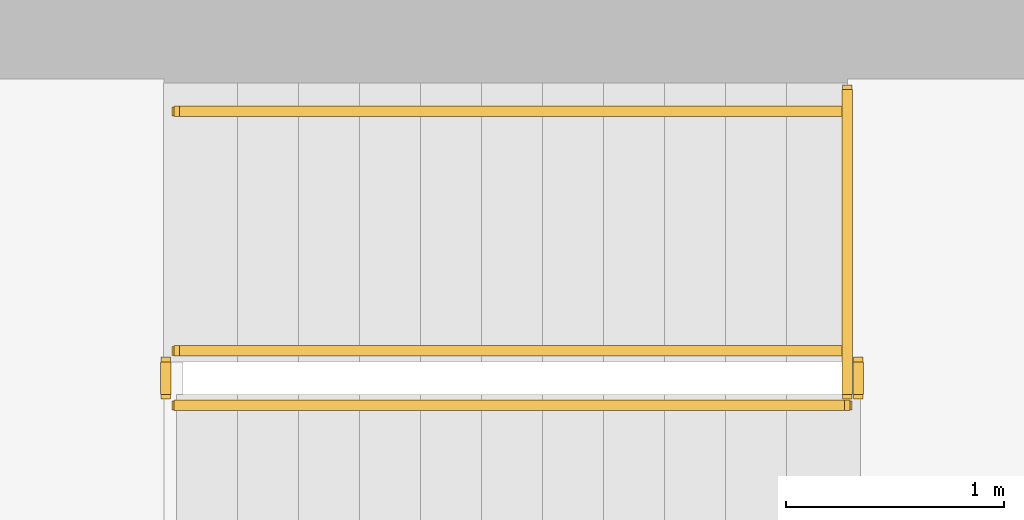
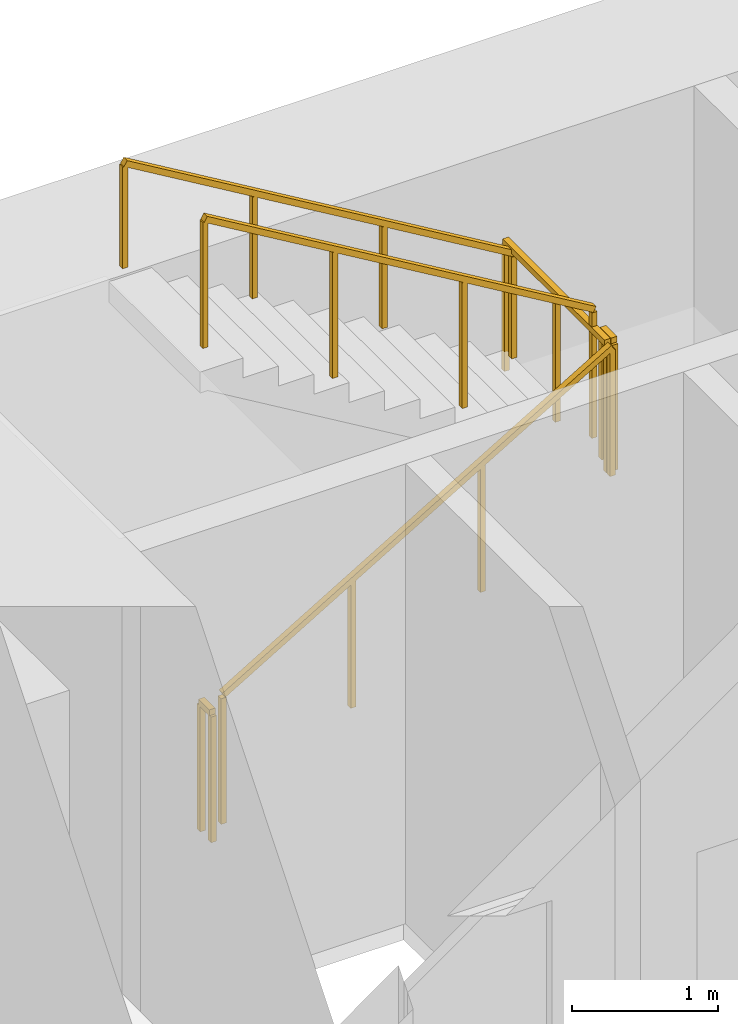
# One storey, part 15 of 16: 6 railings.
"""IFC4 building model written with IfcOpenShell, lengths in metres."""

from ifc_helpers import new_model, si_unit, direction, frame, origin, origin_2d, place, context, subcontext, project, spatial, rectangle, extrude, material, type_object, element, save


model = new_model("IFC4")

# Units and contexts
model_context = context("Model", 3, precision=1e-05, world=origin(), true_north=direction((0.0, 1.0)))
body_context = subcontext(model_context, "Body", "Model", "MODEL_VIEW")
ifc_project = project(units=[si_unit("LENGTHUNIT", "METRE"), si_unit("AREAUNIT", "SQUARE_METRE"), si_unit("VOLUMEUNIT", "CUBIC_METRE"), si_unit("PLANEANGLEUNIT", "RADIAN"), si_unit("MASSUNIT", "GRAM", prefix="KILO")], contexts=[model_context])

# Site, building, storey
site_placement = place(None, origin())
site = spatial("IfcSite", under=ifc_project, at=site_placement, CompositionType="ELEMENT")
building_placement = place(site_placement, origin())
building = spatial("IfcBuilding", under=site, at=building_placement, Name="Sennacour Bend Tower", CompositionType="ELEMENT")
storey_placement = place(building_placement, frame((0.0, 0.0, 107.0)))
storey = spatial("IfcBuildingStorey", under=building, at=storey_placement, Name="L24", CompositionType="ELEMENT", Elevation=107.0)

# Railings
ifc_material = material(Name="Stainless steel", Category="steel")
railing_type_1 = type_object("IfcRailingType", Name="RL-GUARD-1100", PredefinedType="GUARDRAIL", material=ifc_material)
railing_1_placement = place(storey_placement, frame((56.699951171875, 19.85009765625, 0.166748046875)))
element("IfcRailing", 1, at=railing_1_placement, inside=storey, type_object=railing_type_1, Name="L24 SA2 stair guard 1", PredefinedType="GUARDRAIL", context=body_context, shape_type="SweptSolid", body=[
    extrude(rectangle(XDim=0.048095703125, YDim=0.048095703125, at=origin_2d()), frame((0.0, 0.0, 1.076171875), z_axis=(0.859308565015, 0.0, 0.511457515432), x_axis=(0.0, 1.0, 0.0)), (0.0, 0.0, 1.0), 3.58447265625),
    extrude(rectangle(XDim=0.0419921875, YDim=0.0419921875, at=origin_2d()), origin(), (0.0, 0.0, 1.0), 1.052001953125),
    extrude(rectangle(XDim=0.0419921875, YDim=0.0419921875, at=origin_2d()), frame((1.026611328125, 0.0, 0.611083984375)), (0.0, 0.0, 1.0), 1.052001953125),
    extrude(rectangle(XDim=0.0419921875, YDim=0.0419921875, at=origin_2d()), frame((2.053466796875, 0.0, 1.22216796875)), (0.0, 0.0, 1.0), 1.052001953125),
    extrude(rectangle(XDim=0.0419921875, YDim=0.0419921875, at=origin_2d()), frame((3.080078125, 0.0, 1.833251953125)), (0.0, 0.0, 1.0), 1.052001953125),
])
railing_2_placement = place(storey_placement, frame((59.830078125, 19.89990234375, 2.0)))
element("IfcRailing", 2, at=railing_2_placement, inside=storey, type_object=railing_type_1, Name="L24 SA2 stair guard 2", PredefinedType="GUARDRAIL", context=body_context, shape_type="SweptSolid", body=[
    extrude(rectangle(XDim=0.048095703125, YDim=0.048095703125, at=origin_2d()), frame((0.0, 0.0, 1.076171875), z_axis=(0.0, 1.0, 0.0), x_axis=(-1.0, 0.0, 0.0)), (0.0, 0.0, 1.0), 0.150146484375),
    extrude(rectangle(XDim=0.0419921875, YDim=0.0419921875, at=origin_2d()), origin(), (0.0, 0.0, 1.0), 1.052001953125),
    extrude(rectangle(XDim=0.0419921875, YDim=0.0419921875, at=origin_2d()), frame((0.0, 0.150146484375, 0.0)), (0.0, 0.0, 1.0), 1.052001953125),
])
railing_3_placement = place(storey_placement, frame((59.780029296875, 20.10009765625, 2.166748046875)))
element("IfcRailing", 3, at=railing_3_placement, inside=storey, type_object=railing_type_1, Name="L24 SA2 stair guard 4", PredefinedType="GUARDRAIL", context=body_context, shape_type="SweptSolid", body=[
    extrude(rectangle(XDim=0.048095703125, YDim=0.048095703125, at=origin_2d()), frame((0.0, 0.0, 1.076171875), z_axis=(-0.859308565015, 0.0, 0.511457515432), x_axis=(0.0, -1.0, 0.0)), (0.0, 0.0, 1.0), 3.58447265625),
    extrude(rectangle(XDim=0.0419921875, YDim=0.0419921875, at=origin_2d()), origin(), (0.0, 0.0, 1.0), 1.052001953125),
    extrude(rectangle(XDim=0.0419921875, YDim=0.0419921875, at=origin_2d()), frame((-1.026611328125, 0.0, 0.611083984375)), (0.0, 0.0, 1.0), 1.052001953125),
    extrude(rectangle(XDim=0.0419921875, YDim=0.0419921875, at=origin_2d()), frame((-2.053466796875, 0.0, 1.22216796875)), (0.0, 0.0, 1.0), 1.052001953125),
    extrude(rectangle(XDim=0.0419921875, YDim=0.0419921875, at=origin_2d()), frame((-3.080078125, 0.0, 1.833251953125)), (0.0, 0.0, 1.0), 1.052001953125),
])
railing_4_placement = place(storey_placement, frame((56.64990234375, 19.89990234375, 0.0)))
element("IfcRailing", 4, at=railing_4_placement, inside=storey, type_object=railing_type_1, Name="L24 SA2 stair guard 5", PredefinedType="GUARDRAIL", context=body_context, shape_type="SweptSolid", body=[
    extrude(rectangle(XDim=0.048095703125, YDim=0.048095703125, at=origin_2d()), frame((0.0, 0.0, 1.076171875), z_axis=(0.0, 1.0, 0.0), x_axis=(-1.0, 0.0, 0.0)), (0.0, 0.0, 1.0), 0.150146484375),
    extrude(rectangle(XDim=0.0419921875, YDim=0.0419921875, at=origin_2d()), origin(), (0.0, 0.0, 1.0), 1.052001953125),
    extrude(rectangle(XDim=0.0419921875, YDim=0.0419921875, at=origin_2d()), frame((0.0, 0.150146484375, 0.0)), (0.0, 0.0, 1.0), 1.052001953125),
])
railing_5_placement = place(storey_placement, frame((59.780029296875, 19.89990234375, 2.0)))
element("IfcRailing", 5, at=railing_5_placement, inside=storey, type_object=railing_type_1, Name="L24 SA2 landing edge guard 37", PredefinedType="GUARDRAIL", context=body_context, shape_type="SweptSolid", body=[
    extrude(rectangle(XDim=0.048095703125, YDim=0.048095703125, at=origin_2d()), frame((0.0, 0.0, 1.076171875), z_axis=(0.0, 1.0, 0.0), x_axis=(-1.0, 0.0, 0.0)), (0.0, 0.0, 1.0), 1.400146484375),
    extrude(rectangle(XDim=0.0419921875, YDim=0.0419921875, at=origin_2d()), origin(), (0.0, 0.0, 1.0), 1.052001953125),
    extrude(rectangle(XDim=0.0419921875, YDim=0.0419921875, at=origin_2d()), frame((0.0, 0.7001953125, 0.0)), (0.0, 0.0, 1.0), 1.052001953125),
    extrude(rectangle(XDim=0.0419921875, YDim=0.0419921875, at=origin_2d()), frame((0.0, 1.400146484375, 0.0)), (0.0, 0.0, 1.0), 1.052001953125),
])
railing_type_2 = type_object("IfcRailingType", Name="RL-HANDRAIL-900", PredefinedType="HANDRAIL", material=ifc_material)
railing_6_placement = place(storey_placement, frame((59.780029296875, 21.199951171875, 2.166748046875)))
element("IfcRailing", 6, at=railing_6_placement, inside=storey, type_object=railing_type_2, Name="L24 SA2 stair handrail 2", PredefinedType="HANDRAIL", context=body_context, shape_type="SweptSolid", body=[
    extrude(rectangle(XDim=0.048095703125, YDim=0.048095703125, at=origin_2d()), frame((0.0, 0.0, 0.8759765625), z_axis=(-0.859308565015, 0.0, 0.511457515432), x_axis=(0.0, -1.0, 0.0)), (0.0, 0.0, 1.0), 3.58447265625),
    extrude(rectangle(XDim=0.0419921875, YDim=0.0419921875, at=origin_2d()), origin(), (0.0, 0.0, 1.0), 0.851806640625),
    extrude(rectangle(XDim=0.0419921875, YDim=0.0419921875, at=origin_2d()), frame((-1.026611328125, 0.0, 0.611083984375)), (0.0, 0.0, 1.0), 0.851806640625),
    extrude(rectangle(XDim=0.0419921875, YDim=0.0419921875, at=origin_2d()), frame((-2.053466796875, 0.0, 1.22216796875)), (0.0, 0.0, 1.0), 0.851806640625),
    extrude(rectangle(XDim=0.0419921875, YDim=0.0419921875, at=origin_2d()), frame((-3.080078125, 0.0, 1.833251953125)), (0.0, 0.0, 1.0), 0.851806640625),
])

save(model, "model.ifc")
